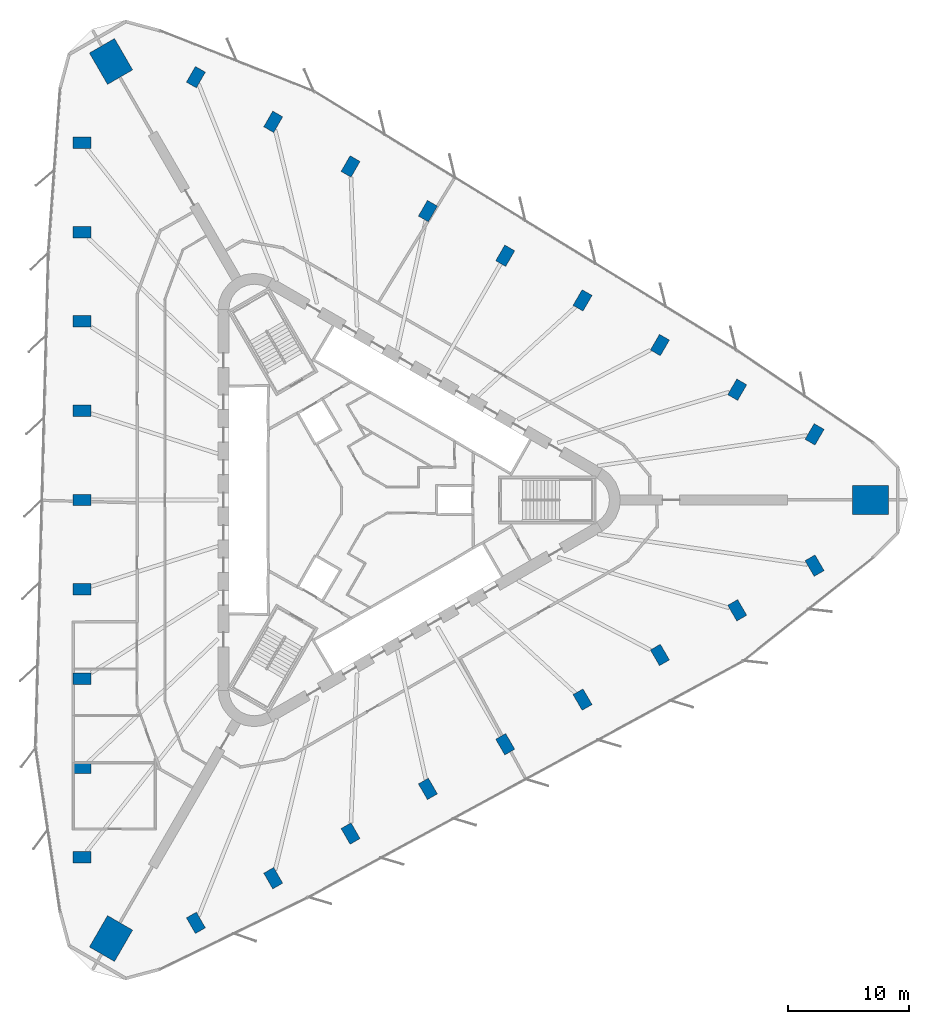
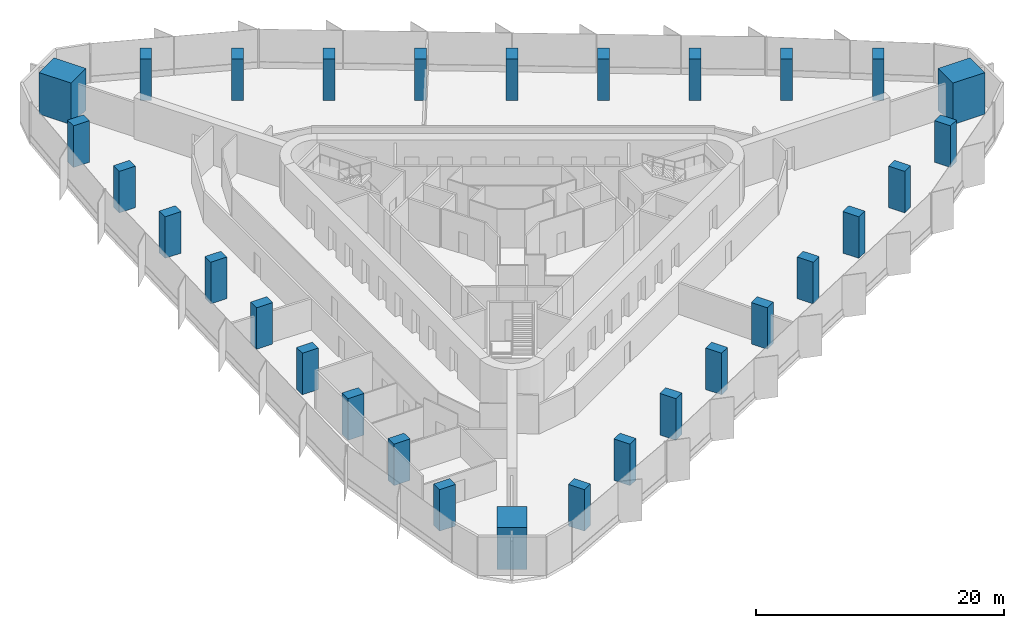
# One storey, part 1 of 13: 30 columns.
"""IFC4 building model written with IfcOpenShell, lengths in metres."""

from ifc_helpers import new_model, si_unit, direction, frame, origin, origin_2d, place, context, subcontext, project, spatial, rectangle, extrude, material, material_profile, profile_set, type_object, element, save


model = new_model("IFC4")

# Units and contexts
model_context = context("Model", 3, precision=1e-05, world=origin(), true_north=direction((0.0, 1.0)))
body_context = subcontext(model_context, "Body", "Model", "MODEL_VIEW")
ifc_project = project(units=[si_unit("LENGTHUNIT", "METRE"), si_unit("AREAUNIT", "SQUARE_METRE"), si_unit("VOLUMEUNIT", "CUBIC_METRE"), si_unit("PLANEANGLEUNIT", "RADIAN"), si_unit("MASSUNIT", "GRAM", prefix="KILO")], contexts=[model_context])

# Site, building, storey
site_placement = place(None, origin())
site = spatial("IfcSite", under=ifc_project, at=site_placement, CompositionType="ELEMENT")
building_placement = place(site_placement, origin())
building = spatial("IfcBuilding", under=site, at=building_placement, Name="Tanit Gate Tower", CompositionType="ELEMENT")
storey_placement = place(building_placement, frame((0.0, 0.0, 61.89990234375)))
storey = spatial("IfcBuildingStorey", under=building, at=storey_placement, Name="L11", CompositionType="ELEMENT", Elevation=61.89990234375)

# Columns
ifc_material_1 = material(Name="Concrete C70/85", Category="concrete")
ifc_material_profile_1 = material_profile(ifc_material_1, rectangle(XDim=3.0, YDim=2.39990234375, at=origin_2d()), Name="RC 3000x2400")
ifc_profile_set_1 = profile_set([ifc_material_profile_1], Name="Concrete C70/85")
column_type_1 = type_object("IfcColumnType", Name="MEGA COLUMN 3000x2400 C70/85", PredefinedType="COLUMN", material=ifc_profile_set_1)
for number, where, z_axis, x_axis, name in (
    (1, (41.91357421875, 0.0, 0.0), (0.0, 0.0, 1.0), (1.0, 0.0, 0.0), "MEGA COLUMN"),
    (2, (-20.956787109375, 36.29833984375, 0.0), (0.0, 0.0, 1.0), (-0.5, 0.866025403784, 0.0), "MEGA COLUMN"),
    (3, (-20.956787109375, -36.29833984375, 0.0), (0.0, 0.0, 1.0), (-0.5, -0.866025403784, 0.0), "MEGA COLUMN"),
):
    element("IfcColumn", number, at=place(storey_placement, frame(where, z_axis=z_axis, x_axis=x_axis)), inside=storey, type_object=column_type_1, Name=name, PredefinedType="COLUMN", context=body_context, shape_type="SweptSolid", body=[
        extrude(rectangle(XDim=3.0, YDim=2.39990234375, at=origin_2d()), origin(), (0.0, 0.0, 1.0), 4.10009765625),
    ])
ifc_material_2 = material(Name="Concrete C60/75", Category="concrete")
ifc_material_profile_2 = material_profile(ifc_material_2, rectangle(XDim=1.5, YDim=0.949951171875, at=origin_2d()), Name="RC 1500x950")
ifc_profile_set_2 = profile_set([ifc_material_profile_2], Name="Concrete C60/75")
column_type_2 = type_object("IfcColumnType", Name="PERIMETER COLUMN 1500x950 C60/75", PredefinedType="COLUMN", material=ifc_profile_set_2)
for number, where, z_axis, x_axis, name in (
    (4, (-23.344482421875, 29.56591796875, 0.0), (0.0, 0.0, 1.0), (-1.0, 0.0, 0.0), "PERIMETER COLUMN"),
    (5, (-23.344482421875, 22.17431640625, 0.0), (0.0, 0.0, 1.0), (-1.0, 0.0, 0.0), "PERIMETER COLUMN"),
    (6, (-23.344482421875, 14.782958984375, 0.0), (0.0, 0.0, 1.0), (-1.0, 0.0, 0.0), "PERIMETER COLUMN"),
    (7, (-23.344482421875, 7.391357421875, 0.0), (0.0, 0.0, 1.0), (-1.0, 0.0, 0.0), "PERIMETER COLUMN"),
    (8, (-23.344482421875, 0.0, 0.0), (0.0, 0.0, 1.0), (-1.0, 0.0, 0.0), "PERIMETER COLUMN"),
    (9, (-23.344482421875, -7.391357421875, 0.0), (0.0, 0.0, 1.0), (-1.0, 0.0, 0.0), "PERIMETER COLUMN"),
    (10, (-23.344482421875, -14.782958984375, 0.0), (0.0, 0.0, 1.0), (-1.0, 0.0, 0.0), "PERIMETER COLUMN"),
    (11, (-23.344482421875, -22.17431640625, 0.0), (0.0, 0.0, 1.0), (-1.0, 0.0, 0.0), "PERIMETER COLUMN"),
    (12, (-23.344482421875, -29.56591796875, 0.0), (0.0, 0.0, 1.0), (-1.0, 0.0, 0.0), "PERIMETER COLUMN"),
    (13, (37.277099609375, 5.43408203125, 0.0), (0.0, 0.0, 1.0), (0.5, 0.866025403784, 0.0), "PERIMETER COLUMN"),
    (14, (30.875732421875, 9.1298828125, 0.0), (0.0, 0.0, 1.0), (0.5, 0.866025403784, 0.0), "PERIMETER COLUMN"),
    (15, (24.474609375, 12.825439453125, 0.0), (0.0, 0.0, 1.0), (0.5, 0.866025403784, 0.0), "PERIMETER COLUMN"),
    (16, (18.073486328125, 16.521240234375, 0.0), (0.0, 0.0, 1.0), (0.5, 0.866025403784, 0.0), "PERIMETER COLUMN"),
    (17, (11.67236328125, 20.217041015625, 0.0), (0.0, 0.0, 1.0), (0.5, 0.866025403784, 0.0), "PERIMETER COLUMN"),
    (18, (5.27099609375, 23.91259765625, 0.0), (0.0, 0.0, 1.0), (0.5, 0.866025403784, 0.0), "PERIMETER COLUMN"),
    (19, (-1.130126953125, 27.6083984375, 0.0), (0.0, 0.0, 1.0), (0.5, 0.866025403784, 0.0), "PERIMETER COLUMN"),
    (20, (-7.53125, 31.30419921875, 0.0), (0.0, 0.0, 1.0), (0.5, 0.866025403784, 0.0), "PERIMETER COLUMN"),
    (21, (-13.9326171875, 35.0, 0.0), (0.0, 0.0, 1.0), (0.5, 0.866025403784, 0.0), "PERIMETER COLUMN"),
    (22, (-13.9326171875, -35.0, 0.0), (0.0, 0.0, 1.0), (0.5, -0.866025403784, 0.0), "PERIMETER COLUMN"),
    (23, (-7.53125, -31.30419921875, 0.0), (0.0, 0.0, 1.0), (0.5, -0.866025403784, 0.0), "PERIMETER COLUMN"),
    (24, (-1.130126953125, -27.6083984375, 0.0), (0.0, 0.0, 1.0), (0.5, -0.866025403784, 0.0), "PERIMETER COLUMN"),
    (25, (5.27099609375, -23.91259765625, 0.0), (0.0, 0.0, 1.0), (0.5, -0.866025403784, 0.0), "PERIMETER COLUMN"),
    (26, (11.67236328125, -20.217041015625, 0.0), (0.0, 0.0, 1.0), (0.5, -0.866025403784, 0.0), "PERIMETER COLUMN"),
    (27, (18.073486328125, -16.521240234375, 0.0), (0.0, 0.0, 1.0), (0.5, -0.866025403784, 0.0), "PERIMETER COLUMN"),
    (28, (24.474609375, -12.825439453125, 0.0), (0.0, 0.0, 1.0), (0.5, -0.866025403784, 0.0), "PERIMETER COLUMN"),
    (29, (30.875732421875, -9.1298828125, 0.0), (0.0, 0.0, 1.0), (0.5, -0.866025403784, 0.0), "PERIMETER COLUMN"),
    (30, (37.277099609375, -5.43408203125, 0.0), (0.0, 0.0, 1.0), (0.5, -0.866025403784, 0.0), "PERIMETER COLUMN"),
):
    element("IfcColumn", number, at=place(storey_placement, frame(where, z_axis=z_axis, x_axis=x_axis)), inside=storey, type_object=column_type_2, Name=name, PredefinedType="COLUMN", context=body_context, shape_type="SweptSolid", body=[
        extrude(rectangle(XDim=1.5, YDim=0.949951171875, at=origin_2d()), origin(), (0.0, 0.0, 1.0), 4.10009765625),
    ])

save(model, "model.ifc")
